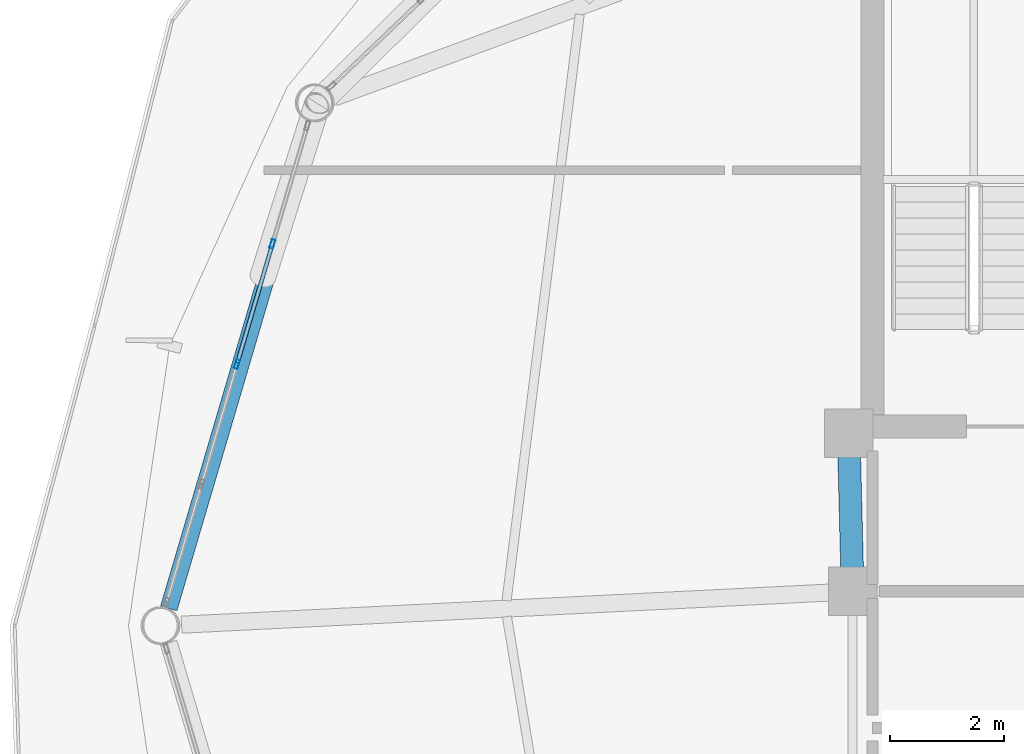
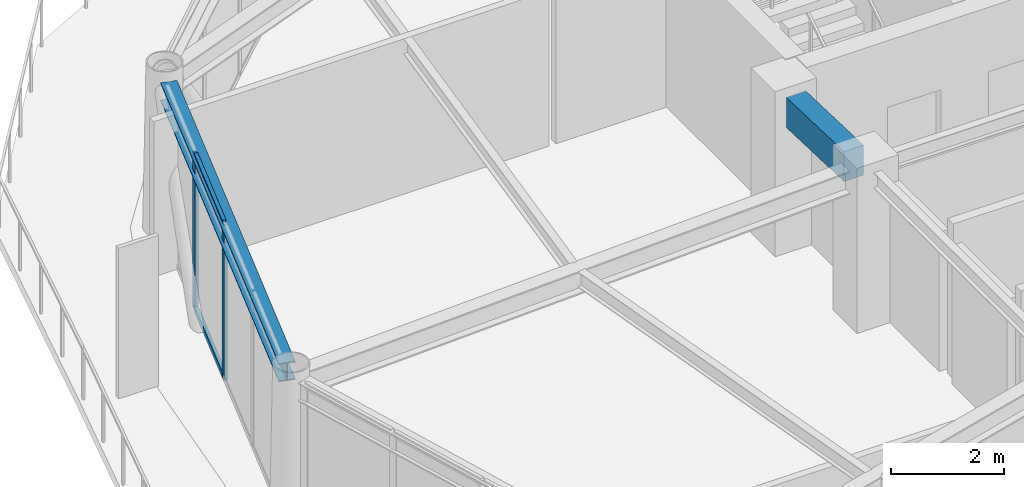
# One storey, part 12 of 28: 4 members, 2 beams, 1 element without a shape of its own.
"""IFC4 building model written with IfcOpenShell, lengths in metres."""

from ifc_helpers import new_model, si_unit, direction, frame, origin, origin_2d, place, context, subcontext, project, spatial, rectangle, hollow_rectangle, i_section, extrude, material, layer, layer_set, material_profile, profile_set, type_object, element, aggregate, save


model = new_model("IFC4")

# Units and contexts
model_context = context("Model", 3, precision=1e-05, world=origin(), true_north=direction((0.0, 1.0)))
body_context = subcontext(model_context, "Body", "Model", "MODEL_VIEW")
ifc_project = project(units=[si_unit("LENGTHUNIT", "METRE"), si_unit("AREAUNIT", "SQUARE_METRE"), si_unit("VOLUMEUNIT", "CUBIC_METRE"), si_unit("PLANEANGLEUNIT", "RADIAN"), si_unit("MASSUNIT", "GRAM", prefix="KILO")], contexts=[model_context])

# Site, building, storey
site_placement = place(None, origin())
site = spatial("IfcSite", under=ifc_project, at=site_placement, CompositionType="ELEMENT")
building_placement = place(site_placement, origin())
building = spatial("IfcBuilding", under=site, at=building_placement, Name="Varnakorn Sky Granary", CompositionType="ELEMENT")
storey_placement = place(building_placement, frame((0.0, 0.0, 200.39990234375)))
storey = spatial("IfcBuildingStorey", under=building, at=storey_placement, Name="L50", CompositionType="ELEMENT", Elevation=200.39990234375)

# Beams
ifc_material_1 = material(Name="Concrete C50/60", Category="concrete")
ifc_material_profile_1 = material_profile(ifc_material_1, rectangle(XDim=0.39990234375, YDim=0.64990234375, at=origin_2d()), Name="RC 400x650")
ifc_profile_set_1 = profile_set([ifc_material_profile_1], Name="Concrete C50/60")
beam_type_1 = type_object("IfcBeamType", Name="BM-LIN-650", PredefinedType="LINTEL", material=ifc_profile_set_1)
beam_1_placement = place(storey_placement, frame((-2.409912109375, 2.97509765625, 3.03515625), z_axis=(0.025270737467, -0.99968064392, 0.0), x_axis=(0.99968064392, 0.025270737467, 0.0)))
element("IfcBeam", 1, at=beam_1_placement, inside=storey, type_object=beam_type_1, Name="Core Spine Framing Beam 1 L50", PredefinedType="LINTEL", context=body_context, shape_type="SweptSolid", body=[
    extrude(rectangle(XDim=0.39990234375, YDim=0.64990234375, at=origin_2d()), origin(), (0.0, 0.0, 1.0), 1.970947265625),
])
ifc_material_2 = material(Name="Steel S355JR", Category="steel")
ifc_material_profile_2 = material_profile(ifc_material_2, i_section(OverallWidth=0.300048828125, OverallDepth=0.39990234375, WebThickness=0.013427734375, FlangeThickness=0.02392578125, at=origin_2d()), Name="HE 400 B")
ifc_profile_set_2 = profile_set([ifc_material_profile_2], Name="Steel S355JR")
beam_type_2 = type_object("IfcBeamType", Name="BM-SPD-Z4", PredefinedType="SPANDREL", material=ifc_profile_set_2)
beam_2_placement = place(storey_placement, frame((-11.843505859375, 8.869873046875, 3.16015625), z_axis=(-0.282725631314, -0.959200822246, 0.0), x_axis=(0.959200822246, -0.282725631314, 0.0)))
element("IfcBeam", 2, at=beam_2_placement, inside=storey, type_object=beam_type_2, Name="Perimeter Spandrel Ring Beam RB06 L50", PredefinedType="SPANDREL", context=body_context, shape_type="SweptSolid", body=[
    extrude(i_section(OverallWidth=0.300048828125, OverallDepth=0.39990234375, WebThickness=0.013427734375, FlangeThickness=0.02392578125, at=origin_2d()), origin(), (0.0, 0.0, 1.0), 8.932373046875),
])

# Curtain wall, members
ifc_material_3 = material(Name="Anodised Bronze Aluminium Alloy 6063-T6", Category="aluminium")
ifc_layer = layer(ifc_material_3, 0.169921875, Name="Anodised Bronze Aluminium Alloy 6063-T6")
ifc_layer_set = layer_set([ifc_layer], Name="Anodised Bronze Aluminium Alloy 6063-T6")
curtain_wall_type = type_object("IfcCurtainWallType", Name="CW-LAB-1", PredefinedType="USERDEFINED", material=ifc_layer_set)
curtain_wall_placement = place(storey_placement, origin())
curtain_wall = element("IfcCurtainWall", 3, at=curtain_wall_placement, inside=storey, type_object=curtain_wall_type, Name="Unitised Curtain Wall CW5 CW-L50-B06", ObjectType="CURTAIN WALL", PredefinedType="USERDEFINED")
ifc_material_profile_3 = material_profile(ifc_material_3, hollow_rectangle(XDim=0.06494140625, YDim=0.159912109375, WallThickness=0.00341796875, at=origin_2d()), Name="ALU MULL 65x160")
ifc_profile_set_3 = profile_set([ifc_material_profile_3], Name="Anodised Bronze Aluminium Alloy 6063-T6")
member_type_1 = type_object("IfcMemberType", Name="CW-LAB-1-MULL", PredefinedType="MULLION", material=ifc_profile_set_3)
member_1_placement = place(storey_placement, frame((-13.169677734375, 4.594482421875, 0.0), z_axis=(0.0, 0.0, 1.0), x_axis=(-0.959077331245, 0.283144261272, 0.0)))
member_1 = element("IfcMember", 4, at=member_1_placement, type_object=member_type_1, Name="CW5 mullion 3", PredefinedType="MULLION", context=body_context, shape_type="SweptSolid", body=[
    extrude(hollow_rectangle(XDim=0.06494140625, YDim=0.159912109375, WallThickness=0.00341796875, at=origin_2d()), origin(), (0.0, 0.0, 1.0), 3.360107421875),
])
member_2_placement = place(storey_placement, frame((-12.546630859375, 6.704833984375, 0.0), z_axis=(0.0, 0.0, 1.0), x_axis=(-0.959077331245, 0.283144261272, 0.0)))
member_2 = element("IfcMember", 5, at=member_2_placement, type_object=member_type_1, Name="CW5 mullion 4", PredefinedType="MULLION", context=body_context, shape_type="SweptSolid", body=[
    extrude(hollow_rectangle(XDim=0.06494140625, YDim=0.159912109375, WallThickness=0.00341796875, at=origin_2d()), origin(), (0.0, 0.0, 1.0), 3.360107421875),
])
ifc_material_profile_4 = material_profile(ifc_material_3, hollow_rectangle(XDim=0.070068359375, YDim=0.139892578125, WallThickness=0.00341796875, at=origin_2d()), Name="ALU TRAN 70x140")
ifc_profile_set_4 = profile_set([ifc_material_profile_4], Name="Anodised Bronze Aluminium Alloy 6063-T6")
member_type_2 = type_object("IfcMemberType", Name="CW-LAB-1-TRAN", PredefinedType="USERDEFINED", material=ifc_profile_set_4)
member_3_placement = place(storey_placement, frame((-13.160400390625, 4.625732421875, 0.03515625), z_axis=(0.283107130654, 0.959088292376, 0.0), x_axis=(-0.959088292376, 0.283107130654, 0.0)))
member_3 = element("IfcMember", 6, at=member_3_placement, type_object=member_type_2, Name="CW5 transom 3.1", ObjectType="TRANSOM", PredefinedType="USERDEFINED", context=body_context, shape_type="SweptSolid", body=[
    extrude(hollow_rectangle(XDim=0.070068359375, YDim=0.139892578125, WallThickness=0.00341796875, at=origin_2d()), origin(), (0.0, 0.0, 1.0), 2.13525390625),
])
member_4_placement = place(storey_placement, frame((-13.160400390625, 4.625732421875, 3.3251953125), z_axis=(0.283107130654, 0.959088292376, 0.0), x_axis=(-0.959088292376, 0.283107130654, 0.0)))
member_4 = element("IfcMember", 7, at=member_4_placement, type_object=member_type_2, Name="CW5 transom 3.2", ObjectType="TRANSOM", PredefinedType="USERDEFINED", context=body_context, shape_type="SweptSolid", body=[
    extrude(hollow_rectangle(XDim=0.070068359375, YDim=0.139892578125, WallThickness=0.00341796875, at=origin_2d()), origin(), (0.0, 0.0, 1.0), 2.13525390625),
])
aggregate(curtain_wall, [member_1, member_2, member_3, member_4])

save(model, "model.ifc")
